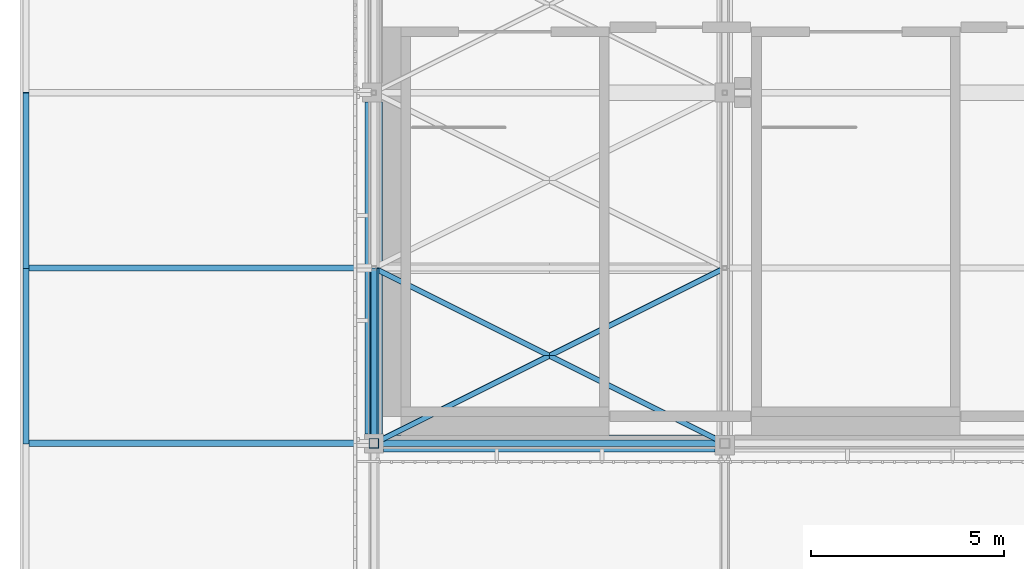
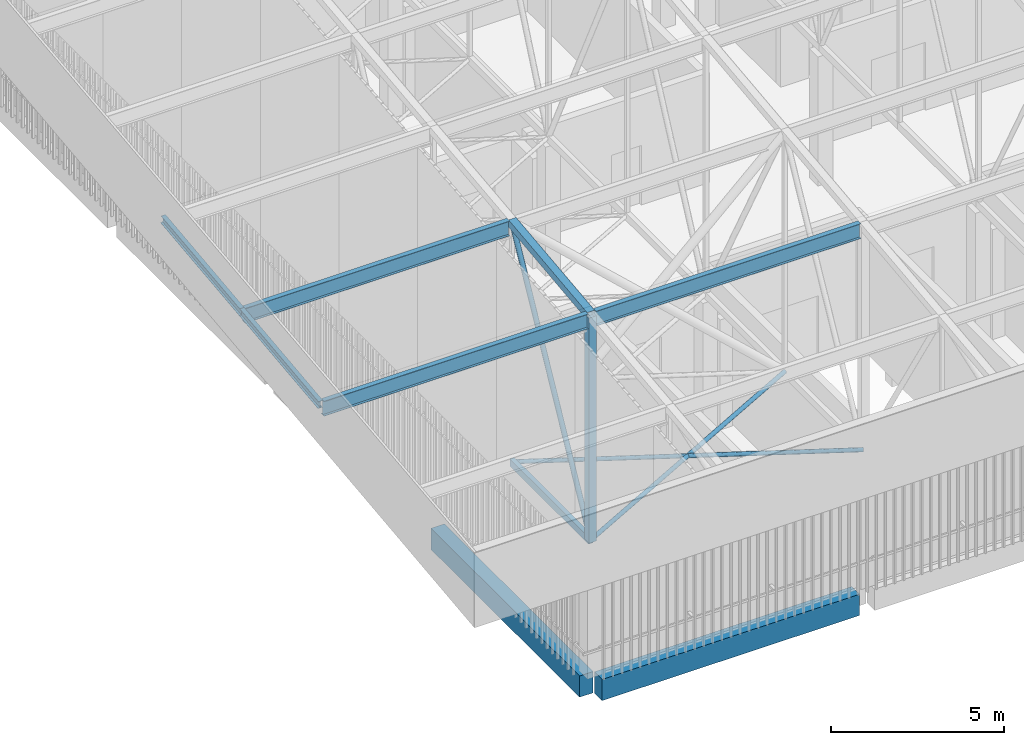
# One storey, part 5 of 500: 11 members, 2 beams.
"""IFC4 building model written with IfcOpenShell, lengths in metres."""

from ifc_helpers import new_model, si_unit, direction, frame, origin, origin_2d, place, context, subcontext, project, spatial, rectangle, hollow_rectangle, hollow_circle, i_section, extrude, material, material_profile, profile_set, type_object, element, save


model = new_model("IFC4")

# Units and contexts
model_context = context("Model", 3, precision=1e-05, world=origin(), true_north=direction((0.0, 1.0)))
body_context = subcontext(model_context, "Body", "Model", "MODEL_VIEW")
ifc_project = project(units=[si_unit("LENGTHUNIT", "METRE"), si_unit("AREAUNIT", "SQUARE_METRE"), si_unit("VOLUMEUNIT", "CUBIC_METRE"), si_unit("PLANEANGLEUNIT", "RADIAN"), si_unit("MASSUNIT", "GRAM", prefix="KILO")], contexts=[model_context])

# Site, building, storey
site_placement = place(None, origin())
site = spatial("IfcSite", under=ifc_project, at=site_placement, CompositionType="ELEMENT")
building_placement = place(site_placement, origin())
building = spatial("IfcBuilding", under=site, at=building_placement, Name="Shirokan Park Arena", CompositionType="ELEMENT")
storey_placement = place(building_placement, frame((0.0, 0.0, 29.1201171875)))
storey = spatial("IfcBuildingStorey", under=building, at=storey_placement, Name="L06", CompositionType="ELEMENT", Elevation=29.1201171875)

# Members
ifc_material_1 = material(Name="Steel ASTM A500 Grade C", Category="steel")
ifc_material_profile_1 = material_profile(ifc_material_1, hollow_rectangle(XDim=0.152099609375, YDim=0.25390625, WallThickness=0.009521484375, at=origin_2d()), Name="HSS254X152.4X9.5")
ifc_profile_set_1 = profile_set([ifc_material_profile_1], Name="Steel ASTM A500 Grade C")
member_type_1 = type_object("IfcMemberType", Name="Bottom chord HSS254X152.4X9.5", PredefinedType="CHORD", material=ifc_profile_set_1)
member_1_placement = place(storey_placement, frame((0.0, 0.0, 4.677001953125), z_axis=(0.0, 1.0, 0.0), x_axis=(-1.0, 0.0, 0.0)))
element("IfcMember", 1, at=member_1_placement, inside=storey, type_object=member_type_1, Name="Truss T01 bottom chord 3", PredefinedType="CHORD", context=body_context, shape_type="SweptSolid", body=[
    extrude(hollow_rectangle(XDim=0.152099609375, YDim=0.25390625, WallThickness=0.009521484375, at=origin_2d()), origin(), (0.0, 0.0, 1.0), 4.550048828125),
])
ifc_material_profile_2 = material_profile(ifc_material_1, hollow_circle(Radius=0.070556640625, WallThickness=0.009521484375, at=origin_2d()), Name="HSS141.3X9.5")
ifc_profile_set_2 = profile_set([ifc_material_profile_2], Name="Steel ASTM A500 Grade C")
member_type_2 = type_object("IfcMemberType", Name="Plan bracing HSS141.3X9.5", PredefinedType="BRACE", material=ifc_profile_set_2)
for number, where, z_axis, x_axis, name in (
    (2, (0.0, 0.0, 4.677001953125), (0.894427191, 0.4472135955, 0.0), (-0.4472135955, 0.894427191, 0.0), "Plan bracing bay 1 panel 3 A"),
    (3, (9.10009765625, 0.0, 4.677001953125), (-0.894427191, 0.4472135955, 0.0), (-0.4472135955, -0.894427191, 0.0), "Plan bracing bay 1 panel 3 B"),
):
    element("IfcMember", number, at=place(storey_placement, frame(where, z_axis=z_axis, x_axis=x_axis)), inside=storey, type_object=member_type_2, Name=name, PredefinedType="BRACE", context=body_context, shape_type="SweptSolid", body=[
        extrude(hollow_circle(Radius=0.070556640625, WallThickness=0.009521484375, at=origin_2d()), origin(), (0.0, 0.0, 1.0), 10.17431640625),
    ])
ifc_material_2 = material(Name="Steel ASTM A992", Category="steel")
ifc_material_profile_3 = material_profile(ifc_material_2, i_section(OverallWidth=0.166015625, OverallDepth=0.528076171875, WebThickness=0.009765625, FlangeThickness=0.013671875, at=origin_2d()), Name="W530X74")
ifc_profile_set_3 = profile_set([ifc_material_profile_3], Name="Steel ASTM A992")
member_type_3 = type_object("IfcMemberType", Name="Purlin W530X74", PredefinedType="PURLIN", material=ifc_profile_set_3)
member_2_placement = place(storey_placement, frame((0.126953125, 0.0, 12.48583984375), z_axis=(1.0, 0.0, 0.0), x_axis=(0.0, 1.0, 0.0)))
element("IfcMember", 4, at=member_2_placement, inside=storey, type_object=member_type_3, Name="Purlin 3 bay 1", PredefinedType="PURLIN", context=body_context, shape_type="SweptSolid", body=[
    extrude(i_section(OverallWidth=0.166015625, OverallDepth=0.528076171875, WebThickness=0.009765625, FlangeThickness=0.013671875, at=origin_2d()), origin(), (0.0, 0.0, 1.0), 8.845947265625),
])
for number, where, z_axis, x_axis, name in (
    (5, (-8.951904296875, 0.0, 12.48583984375), (1.0, 0.0, 0.0), (0.0, 1.0, 0.0), "Eave purlin west 3"),
    (6, (-8.951904296875, 4.550048828125, 13.005859375), (1.0, 0.0, 0.0), (0.0, 1.0, 0.0), "Eave purlin west 4"),
):
    element("IfcMember", number, at=place(storey_placement, frame(where, z_axis=z_axis, x_axis=x_axis)), inside=storey, type_object=member_type_3, Name=name, PredefinedType="PURLIN", context=body_context, shape_type="SweptSolid", body=[
        extrude(i_section(OverallWidth=0.166015625, OverallDepth=0.528076171875, WebThickness=0.009765625, FlangeThickness=0.013671875, at=origin_2d()), origin(), (0.0, 0.0, 1.0), 8.824951171875),
    ])

# Beams
ifc_material_3 = material(Name="Concrete C35", Category="concrete")
ifc_material_profile_4 = material_profile(ifc_material_3, rectangle(XDim=0.449951171875, YDim=0.75, at=origin_2d()), Name="450x750")
ifc_profile_set_4 = profile_set([ifc_material_profile_4], Name="Concrete C35")
beam_type = type_object("IfcBeamType", Name="RC girder 450x750", PredefinedType="BEAM", material=ifc_profile_set_4)
for number, where, z_axis, x_axis, name in (
    (7, (0.25, 0.0, -0.5751953125), (1.0, 0.0, 0.0), (0.0, 1.0, 0.0), "Girder 1A-2A L06"),
    (8, (0.0, 0.25, -0.5751953125), (0.0, 1.0, 0.0), (-1.0, 0.0, 0.0), "Girder 1A-1B L06"),
):
    element("IfcBeam", number, at=place(storey_placement, frame(where, z_axis=z_axis, x_axis=x_axis)), inside=storey, type_object=beam_type, Name=name, PredefinedType="BEAM", context=body_context, shape_type="SweptSolid", body=[
        extrude(rectangle(XDim=0.449951171875, YDim=0.75, at=origin_2d()), origin(), (0.0, 0.0, 1.0), 8.599853515625),
    ])

# Members
ifc_material_profile_5 = material_profile(ifc_material_2, i_section(OverallWidth=0.14794921875, OverallDepth=0.26708984375, WebThickness=0.007568359375, FlangeThickness=0.012939453125, at=origin_2d()), Name="W250X44.8")
ifc_profile_set_5 = profile_set([ifc_material_profile_5], Name="Steel ASTM A992")
member_type_4 = type_object("IfcMemberType", Name="Roof edge beam W250X44.8", PredefinedType="USERDEFINED", material=ifc_profile_set_5)
for number, where, z_axis, x_axis, name in (
    (9, (-9.02587890625, 0.0, 12.616455078125), (0.0, 0.993532328996, 0.113549598152), (-1.0, 0.0, 0.0), "Roof edge beam W 3"),
    (10, (-9.02587890625, 4.550048828125, 13.136474609375), (0.0, 0.993532328996, 0.113549598152), (-1.0, 0.0, 0.0), "Roof edge beam W 4"),
):
    element("IfcMember", number, at=place(storey_placement, frame(where, z_axis=z_axis, x_axis=x_axis)), inside=storey, type_object=member_type_4, Name=name, ObjectType="ROOF EDGE BEAM", PredefinedType="USERDEFINED", context=body_context, shape_type="SweptSolid", body=[
        extrude(i_section(OverallWidth=0.14794921875, OverallDepth=0.26708984375, WebThickness=0.007568359375, FlangeThickness=0.012939453125, at=origin_2d()), origin(), (0.0, 0.0, 1.0), 4.57958984375),
    ])
ifc_material_profile_6 = material_profile(ifc_material_1, hollow_rectangle(XDim=0.25390625, YDim=0.25390625, WallThickness=0.009521484375, at=origin_2d()), Name="HSS254X254X9.5")
ifc_profile_set_6 = profile_set([ifc_material_profile_6], Name="Steel ASTM A500 Grade C")
member_type_5 = type_object("IfcMemberType", Name="Top chord HSS254X254X9.5", PredefinedType="CHORD", material=ifc_profile_set_6)
member_3_placement = place(storey_placement, frame((0.0, 0.0, 12.622802734375), z_axis=(0.0, 0.993532328996, 0.113549598152), x_axis=(-1.0, 0.0, 0.0)))
element("IfcMember", 11, at=member_3_placement, inside=storey, type_object=member_type_5, Name="Truss T01 top chord 3", PredefinedType="CHORD", context=body_context, shape_type="SweptSolid", body=[
    extrude(hollow_rectangle(XDim=0.25390625, YDim=0.25390625, WallThickness=0.009521484375, at=origin_2d()), origin(), (0.0, 0.0, 1.0), 4.57958984375),
])
ifc_material_profile_7 = material_profile(ifc_material_1, hollow_circle(Radius=0.083984375, WallThickness=0.009521484375, at=origin_2d()), Name="HSS168.3X9.5")
ifc_profile_set_7 = profile_set([ifc_material_profile_7], Name="Steel ASTM A500 Grade C")
member_type_6 = type_object("IfcMemberType", Name="Truss diagonal HSS168.3X9.5", PredefinedType="BRACE", material=ifc_profile_set_7)
member_4_placement = place(storey_placement, frame((0.0, 0.0, 4.677001953125), z_axis=(0.0, 0.473416507165, 0.880838697347), x_axis=(-1.0, 0.0, 0.0)))
element("IfcMember", 12, at=member_4_placement, inside=storey, type_object=member_type_6, Name="Truss T01 diagonal 3", PredefinedType="BRACE", context=body_context, shape_type="SweptSolid", body=[
    extrude(hollow_circle(Radius=0.083984375, WallThickness=0.009521484375, at=origin_2d()), origin(), (0.0, 0.0, 1.0), 9.611083984375),
])
ifc_material_profile_8 = material_profile(ifc_material_1, hollow_rectangle(XDim=0.25390625, YDim=0.25390625, WallThickness=0.009521484375, at=origin_2d()), Name="HSS254X254X9.5")
ifc_profile_set_8 = profile_set([ifc_material_profile_8], Name="Steel ASTM A500 Grade C")
member_type_7 = type_object("IfcMemberType", Name="Truss post HSS254X254X9.5", PredefinedType="POST", material=ifc_profile_set_8)
member_5_placement = place(storey_placement, frame((0.0, 0.0, 4.677001953125), z_axis=(0.0, 0.0, 1.0), x_axis=(1.0, 0.0, 0.0)))
element("IfcMember", 13, at=member_5_placement, inside=storey, type_object=member_type_7, Name="Truss T01 post 3", PredefinedType="POST", context=body_context, shape_type="SweptSolid", body=[
    extrude(hollow_rectangle(XDim=0.25390625, YDim=0.25390625, WallThickness=0.009521484375, at=origin_2d()), origin(), (0.0, 0.0, 1.0), 7.94580078125),
])

save(model, "model.ifc")
